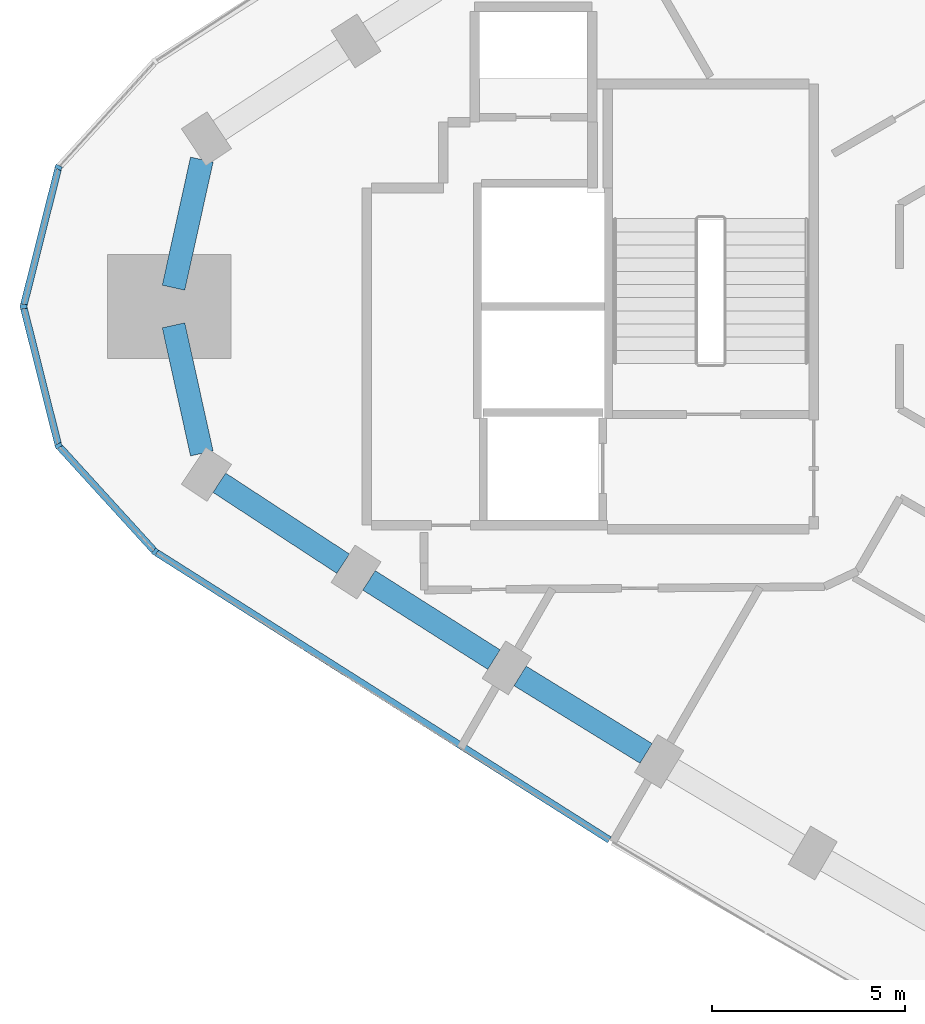
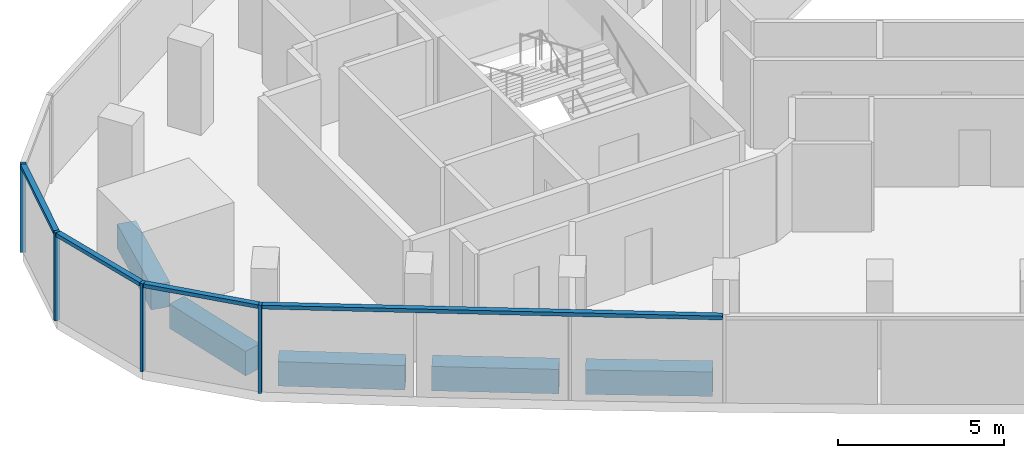
# One storey, part 2 of 12: 8 members, 5 beams, 2 elements without a shape of their own.
"""IFC4 building model written with IfcOpenShell, lengths in metres."""

from ifc_helpers import new_model, si_unit, direction, frame, origin, origin_2d, place, context, subcontext, project, spatial, rectangle, extrude, material, material_profile, profile_set, type_object, element, aggregate, save


model = new_model("IFC4")

# Units and contexts
model_context = context("Model", 3, precision=1e-05, world=origin(), true_north=direction((0.0, 1.0)))
body_context = subcontext(model_context, "Body", "Model", "MODEL_VIEW")
ifc_project = project(units=[si_unit("LENGTHUNIT", "METRE"), si_unit("AREAUNIT", "SQUARE_METRE"), si_unit("VOLUMEUNIT", "CUBIC_METRE"), si_unit("PLANEANGLEUNIT", "RADIAN"), si_unit("MASSUNIT", "GRAM", prefix="KILO")], contexts=[model_context])

# Site, building, storey
site_placement = place(None, origin())
site = spatial("IfcSite", under=ifc_project, at=site_placement, CompositionType="ELEMENT")
building_placement = place(site_placement, origin())
building = spatial("IfcBuilding", under=site, at=building_placement, Name="Tamra Quay Hotel Tower", CompositionType="ELEMENT")
storey_placement = place(building_placement, frame((0.0, 0.0, 200.800048828125)))
storey = spatial("IfcBuildingStorey", under=building, at=storey_placement, Name="L50", CompositionType="ELEMENT", Elevation=200.800048828125)

# Curtain wall, members
ifc_material_1 = material(Name="Aluminium 6063 anodised dark grey", Category="aluminium")
curtain_wall_type_1 = type_object("IfcCurtainWallType", Name="CW2 CURTAIN WALL", PredefinedType="NOTDEFINED", material=ifc_material_1)
curtain_wall_1_placement = place(storey_placement, origin())
curtain_wall_1 = element("IfcCurtainWall", 1, at=curtain_wall_1_placement, inside=storey, type_object=curtain_wall_type_1, Name="CW2 north-west face L50", PredefinedType="NOTDEFINED")
ifc_material_profile_1 = material_profile(ifc_material_1, rectangle(XDim=0.179931640625, YDim=0.10009765625, at=origin_2d()), Name="MULLION 100X180")
ifc_profile_set_1 = profile_set([ifc_material_profile_1], Name="Aluminium 6063 anodised dark grey")
member_type_1 = type_object("IfcMemberType", Name="MULLION CW2 Z4", PredefinedType="MULLION", material=ifc_profile_set_1)
member_1_placement = place(storey_placement, frame((-30.436767578125, 3.611328125, 0.0), z_axis=(0.0, 0.0, 1.0), x_axis=(-0.881097509676, 0.472934645002, 0.0)))
member_1 = element("IfcMember", 2, at=member_1_placement, type_object=member_type_1, Name="CW2 mullion L50.NW.11", PredefinedType="MULLION", context=body_context, shape_type="SweptSolid", body=[
    extrude(rectangle(XDim=0.179931640625, YDim=0.10009765625, at=origin_2d()), origin(), (0.0, 0.0, 1.0), 3.25),
])
member_2_placement = place(storey_placement, frame((-31.3447265625, 0.0, 0.0), z_axis=(0.0, 0.0, 1.0), x_axis=(-1.0, 0.0, 0.0)))
member_2 = element("IfcMember", 3, at=member_2_placement, type_object=member_type_1, Name="CW2 mullion L50.NW.12", PredefinedType="MULLION", context=body_context, shape_type="SweptSolid", body=[
    extrude(rectangle(XDim=0.179931640625, YDim=0.10009765625, at=origin_2d()), origin(), (0.0, 0.0, 1.0), 3.25),
])
member_3_placement = place(storey_placement, frame((-30.436767578125, -3.611328125, 0.0), z_axis=(0.0, 0.0, 1.0), x_axis=(-0.881097509676, -0.472934645002, 0.0)))
member_3 = element("IfcMember", 4, at=member_3_placement, type_object=member_type_1, Name="CW2 mullion L50.NW.13", PredefinedType="MULLION", context=body_context, shape_type="SweptSolid", body=[
    extrude(rectangle(XDim=0.179931640625, YDim=0.10009765625, at=origin_2d()), origin(), (0.0, 0.0, 1.0), 3.25),
])

# Curtain wall, member
curtain_wall_type_2 = type_object("IfcCurtainWallType", Name="CW3 CURTAIN WALL", PredefinedType="NOTDEFINED", material=ifc_material_1)
curtain_wall_2_placement = place(storey_placement, origin())
curtain_wall_2 = element("IfcCurtainWall", 5, at=curtain_wall_2_placement, inside=storey, type_object=curtain_wall_type_2, Name="CW3 south-west face L50", PredefinedType="NOTDEFINED")
ifc_material_profile_2 = material_profile(ifc_material_1, rectangle(XDim=0.179931640625, YDim=0.10009765625, at=origin_2d()), Name="MULLION 100X180")
ifc_profile_set_2 = profile_set([ifc_material_profile_2], Name="Aluminium 6063 anodised dark grey")
member_type_2 = type_object("IfcMemberType", Name="MULLION CW3 Z4", PredefinedType="MULLION", material=ifc_profile_set_2)
member_4_placement = place(storey_placement, frame((-27.928955078125, -6.36376953125, 0.0), z_axis=(0.0, 0.0, 1.0), x_axis=(-0.648381091282, -0.76131593998, 0.0)))
member_4 = element("IfcMember", 6, at=member_4_placement, type_object=member_type_2, Name="CW3 mullion L50.SW.1", PredefinedType="MULLION", context=body_context, shape_type="SweptSolid", body=[
    extrude(rectangle(XDim=0.179931640625, YDim=0.10009765625, at=origin_2d()), origin(), (0.0, 0.0, 1.0), 3.25),
])

# Beams
ifc_material_2 = material(Name="Concrete M60", Category="concrete")
ifc_material_profile_3 = material_profile(ifc_material_2, rectangle(XDim=0.60009765625, YDim=0.89990234375, at=origin_2d()), Name="SPANDREL BEAM RC 600x900")
ifc_profile_set_3 = profile_set([ifc_material_profile_3], Name="Concrete M60")
beam_type = type_object("IfcBeamType", Name="SPANDREL BEAM RC 600x900", PredefinedType="SPANDREL", material=ifc_profile_set_3)
for number, where, z_axis, x_axis, name in (
    (7, (-26.716552734375, 3.811767578125, -0.800048828125), (-0.215798858353, -0.976437838643, 0.0), (0.976437838643, -0.215798858353, 0.0), "BM-SP4-020-L50"),
    (8, (-27.451171875, -0.48779296875, -0.800048828125), (0.215798858353, -0.976437838643, 0.0), (0.976437838643, 0.215798858353, 0.0), "BM-SP4-021-L50"),
):
    element("IfcBeam", number, at=place(storey_placement, frame(where, z_axis=z_axis, x_axis=x_axis)), inside=storey, type_object=beam_type, Name=name, PredefinedType="SPANDREL", context=body_context, shape_type="SweptSolid", body=[
        extrude(rectangle(XDim=0.60009765625, YDim=0.89990234375, at=origin_2d()), origin(), (0.0, 0.0, 1.0), 3.404296875),
    ])
for number, where, z_axis, x_axis, name in (
    (9, (-26.26171875, -4.573486328125, -0.800048828125), (0.836969613974, -0.547249362983, 0.0), (0.547249362983, 0.836969613974, 0.0), "BM-SP4-022-L50"),
    (10, (-22.377197265625, -7.106689453125, -0.800048828125), (0.844469978785, -0.535602889211, 0.0), (0.535602889211, 0.844469978785, 0.0), "BM-SP4-023-L50"),
):
    element("IfcBeam", number, at=place(storey_placement, frame(where, z_axis=z_axis, x_axis=x_axis)), inside=storey, type_object=beam_type, Name=name, PredefinedType="SPANDREL", context=body_context, shape_type="SweptSolid", body=[
        extrude(rectangle(XDim=0.60009765625, YDim=0.89990234375, at=origin_2d()), origin(), (0.0, 0.0, 1.0), 3.837646484375),
    ])
beam_placement = place(storey_placement, frame((-18.4580078125, -9.585693359375, -0.800048828125), z_axis=(0.851817714835, -0.523838315411, 0.0), x_axis=(0.523838315411, 0.851817714835, 0.0)))
element("IfcBeam", 11, at=beam_placement, inside=storey, type_object=beam_type, Name="BM-SP4-024-L50", PredefinedType="SPANDREL", context=body_context, shape_type="SweptSolid", body=[
    extrude(rectangle(XDim=0.60009765625, YDim=0.89990234375, at=origin_2d()), origin(), (0.0, 0.0, 1.0), 3.837890625),
])

# Member
ifc_material_profile_4 = material_profile(ifc_material_1, rectangle(XDim=0.179931640625, YDim=0.139892578125, at=origin_2d()), Name="TRANSOM 180X140")
ifc_profile_set_4 = profile_set([ifc_material_profile_4], Name="Aluminium 6063 anodised dark grey")
member_type_3 = type_object("IfcMemberType", Name="TRANSOM CW2 Z4", PredefinedType="USERDEFINED", material=ifc_profile_set_4)
member_5_placement = place(storey_placement, frame((-30.448974609375, 3.562744140625, 3.179931640625), z_axis=(-0.243835376469, -0.969816636887, 0.0), x_axis=(0.969816636887, -0.243835376469, 0.0)))
member_5 = element("IfcMember", 12, at=member_5_placement, type_object=member_type_3, Name="CW2 transom L50.NW.11", ObjectType="TRANSOM", PredefinedType="USERDEFINED", context=body_context, shape_type="SweptSolid", body=[
    extrude(rectangle(XDim=0.179931640625, YDim=0.139892578125, at=origin_2d()), origin(), (0.0, 0.0, 1.0), 3.62353515625),
])

member_6_placement = place(storey_placement, frame((-31.33251953125, -0.048583984375, 3.179931640625), z_axis=(0.243835376469, -0.969816636887, 0.0), x_axis=(0.969816636887, 0.243835376469, 0.0)))
member_6 = element("IfcMember", 13, at=member_6_placement, type_object=member_type_3, Name="CW2 transom L50.NW.12", ObjectType="TRANSOM", PredefinedType="USERDEFINED", context=body_context, shape_type="SweptSolid", body=[
    extrude(rectangle(XDim=0.179931640625, YDim=0.139892578125, at=origin_2d()), origin(), (0.0, 0.0, 1.0), 3.62353515625),
])

member_7_placement = place(storey_placement, frame((-30.403076171875, -3.648193359375, 3.179931640625), z_axis=(0.673497359226, -0.739189628658, 0.0), x_axis=(0.739189628658, 0.673497359226, 0.0)))
member_7 = element("IfcMember", 14, at=member_7_placement, type_object=member_type_3, Name="CW2 transom L50.NW.13", ObjectType="TRANSOM", PredefinedType="USERDEFINED", context=body_context, shape_type="SweptSolid", body=[
    extrude(rectangle(XDim=0.179931640625, YDim=0.139892578125, at=origin_2d()), origin(), (0.0, 0.0, 1.0), 3.62353515625),
])

aggregate(curtain_wall_1, [member_1, member_5, member_2, member_6, member_3, member_7])

ifc_material_profile_5 = material_profile(ifc_material_1, rectangle(XDim=0.179931640625, YDim=0.139892578125, at=origin_2d()), Name="TRANSOM 180X140")
ifc_profile_set_5 = profile_set([ifc_material_profile_5], Name="Aluminium 6063 anodised dark grey")
member_type_4 = type_object("IfcMemberType", Name="TRANSOM CW3 Z4", PredefinedType="USERDEFINED", material=ifc_profile_set_5)
member_8_placement = place(storey_placement, frame((-27.88720703125, -6.39111328125, 3.179931640625), z_axis=(0.844483603588, -0.535581406764, 0.0), x_axis=(0.535581406764, 0.844483603588, 0.0)))
member_8 = element("IfcMember", 15, at=member_8_placement, type_object=member_type_4, Name="CW3 transom L50.SW.1", ObjectType="TRANSOM", PredefinedType="USERDEFINED", context=body_context, shape_type="SweptSolid", body=[
    extrude(rectangle(XDim=0.179931640625, YDim=0.139892578125, at=origin_2d()), origin(), (0.0, 0.0, 1.0), 13.910888671875),
])

aggregate(curtain_wall_2, [member_4, member_8])

save(model, "model.ifc")
